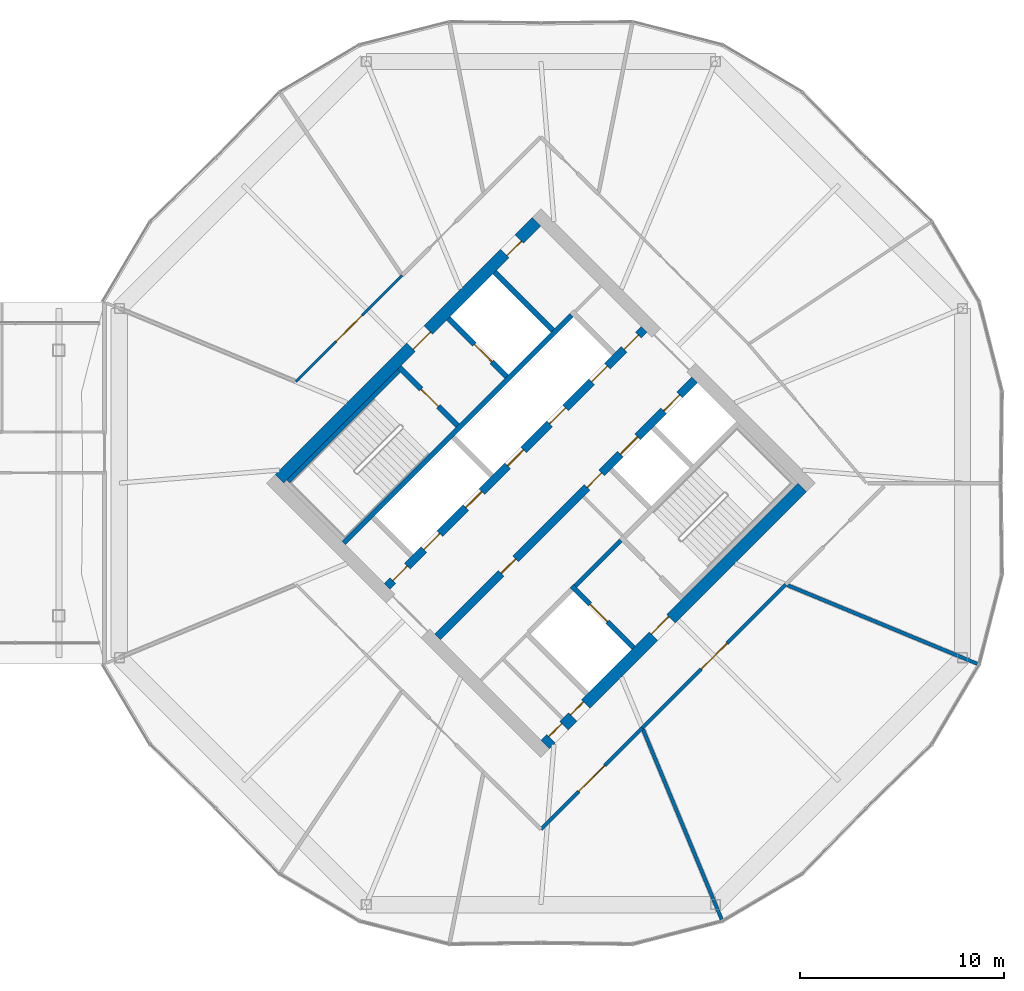
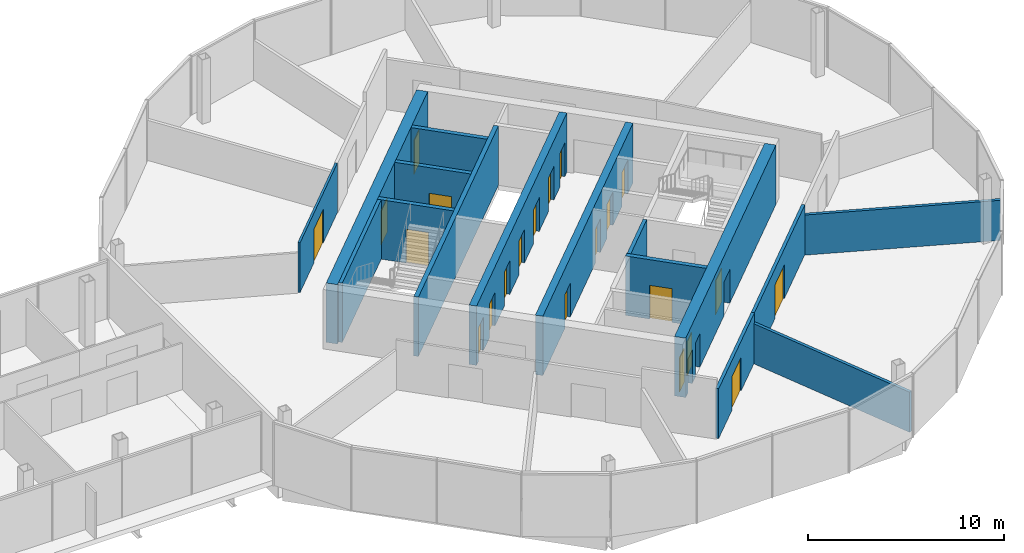
# One storey, part 22 of 25: 22 doors, 16 walls, 22 openings.
"""IFC4 building model written with IfcOpenShell, lengths in metres."""

import ifcopenshell
import ifcopenshell.guid

model = None  # the IFC model being written
_history = None  # IfcOwnerHistory: only IFC2X3 demands one
_inside = {}  # id of a spatial element -> (the spatial element, [elements in it])
_under = {}  # id of a project, library or spatial element -> (it, [spatial elements below it])
_declared = {}  # id of a project -> (the project, [libraries it declares])
_typed = {}  # id of a type object -> (the type object, [elements of that type])
_made_of = {}  # id of a material, layer set ... -> (it, [elements and type objects made of it])


def new_model(schema):
    """Start an empty IFC model of exactly this schema.

    Asked for "IFC4X3", IfcOpenShell would pick the latest addendum, in which some entities
    have other attributes; the version numbers below select the first issue.
    IFC2X3 requires an IfcOwnerHistory on every rooted entity: one is made here for all.
    """
    global model, _history
    if schema == "IFC4X3":
        model = ifcopenshell.file(schema_version=(4, 3, 0, 0))
    else:
        model = ifcopenshell.file(schema=schema)
    _inside.clear()
    _under.clear()
    _declared.clear()
    _typed.clear()
    _made_of.clear()
    _history = None
    if model.schema == "IFC2X3":
        org = make("IfcOrganization", Name="unknown")
        user = make(
            "IfcPersonAndOrganization",
            ThePerson=make("IfcPerson", FamilyName="unknown"),
            TheOrganization=org,
        )
        app = make(
            "IfcApplication",
            ApplicationDeveloper=org,
            Version="unknown",
            ApplicationFullName="unknown",
            ApplicationIdentifier="unknown",
        )
        _history = make(
            "IfcOwnerHistory",
            OwningUser=user,
            OwningApplication=app,
            ChangeAction="ADDED",
            CreationDate=0,
        )
    return model


def make(cls, **values):
    """One entity of the class cls with the attributes given. An attribute that is None is left unset."""
    return model.create_entity(
        cls, **{name: value for name, value in values.items() if value is not None}
    )


def rooted(cls, **values):
    """An entity with a GlobalId (a new one), such as an element, a storey or a relation."""
    return make(cls, GlobalId=ifcopenshell.guid.new(), OwnerHistory=_history, **values)


def si_unit(unit_type, name, prefix=None):
    """IfcSIUnit, for example si_unit("LENGTHUNIT", "METRE", prefix="MILLI")."""
    return make("IfcSIUnit", UnitType=unit_type, Prefix=prefix, Name=name)


def assignment(units):
    """IfcUnitAssignment: the units of a project."""
    return None if units is None else make("IfcUnitAssignment", Units=units)


def point(xyz):
    """IfcCartesianPoint."""
    return None if xyz is None else make("IfcCartesianPoint", Coordinates=xyz)


def direction(xyz):
    """IfcDirection."""
    return None if xyz is None else make("IfcDirection", DirectionRatios=xyz)


def frame(location, z_axis=None, x_axis=None):
    """IfcAxis2Placement3D, a coordinate frame: its origin and axes. An axis left out is left unset."""
    return make(
        "IfcAxis2Placement3D",
        Location=point(location),
        Axis=direction(z_axis),
        RefDirection=direction(x_axis),
    )


def frame_2d(location, x_axis=None):
    """IfcAxis2Placement2D, a coordinate frame in the plane: its origin and x axis."""
    return make(
        "IfcAxis2Placement2D", Location=point(location), RefDirection=direction(x_axis)
    )


def origin():
    """The frame at (0, 0, 0) with its axes left unset."""
    return frame((0.0, 0.0, 0.0))


def place(relative_to, where):
    """IfcLocalPlacement: puts the frame where relative to a parent placement (None: the world)."""
    return make(
        "IfcLocalPlacement", PlacementRelTo=relative_to, RelativePlacement=where
    )


def context(
    kind, dimensions, precision=None, world=None, true_north=None, identifier=None
):
    """IfcGeometricRepresentationContext, for example the 3D "Model" context."""
    return make(
        "IfcGeometricRepresentationContext",
        ContextIdentifier=identifier,
        ContextType=kind,
        CoordinateSpaceDimension=dimensions,
        Precision=precision,
        WorldCoordinateSystem=world,
        TrueNorth=true_north,
    )


def subcontext(parent, identifier, kind, view, scale=None):
    """IfcGeometricRepresentationSubContext, for example "Body" below "Model"."""
    return make(
        "IfcGeometricRepresentationSubContext",
        ContextIdentifier=identifier,
        ContextType=kind,
        ParentContext=parent,
        TargetScale=scale,
        TargetView=view,
    )


def project(units=None, contexts=None):
    """IfcProject with its units and contexts."""
    return rooted(
        "IfcProject",
        Name="project",
        RepresentationContexts=contexts,
        UnitsInContext=assignment(units),
    )


def spatial(cls, under=None, at=None, **own):
    """A site, building, storey or space (cls), placed at a placement, below another one or the project."""
    s = rooted(cls, ObjectPlacement=at, **own)
    if under is not None:
        _under.setdefault(under.id(), (under, []))[1].append(s)
    return s


def profile(cls, at=None, kind="AREA", **sizes):
    """A parametric profile (cls). Its sizes go by their IFC names, for example OverallWidth=200.0."""
    return make(cls, ProfileType=kind, Position=at, **sizes)


def rectangle(**sizes):
    """IfcRectangleProfileDef."""
    return profile("IfcRectangleProfileDef", **sizes)


def extrude(swept, where, along, depth):
    """IfcExtrudedAreaSolid: the profile swept, set in the frame where, extruded along a direction by depth."""
    return make(
        "IfcExtrudedAreaSolid",
        SweptArea=swept,
        Position=where,
        ExtrudedDirection=direction(along),
        Depth=depth,
    )


def shape(context_of_items, identifier, shape_type, items):
    """IfcShapeRepresentation: the items that make up one representation, for example the "Body"."""
    return make(
        "IfcShapeRepresentation",
        ContextOfItems=context_of_items,
        RepresentationIdentifier=identifier,
        RepresentationType=shape_type,
        Items=items,
    )


def material(Name=None, Category=None):
    """IfcMaterial."""
    return make("IfcMaterial", Name=Name, Category=Category)


def layer(
    of_material, thickness, ventilated=None, Name=None, Category=None, Priority=None
):
    """IfcMaterialLayer: one layer of a wall or slab, of a material (None: an air gap)."""
    return make(
        "IfcMaterialLayer",
        Material=of_material,
        LayerThickness=thickness,
        IsVentilated=ventilated,
        Name=Name,
        Category=Category,
        Priority=Priority,
    )


def layer_set(layers, Name=None):
    """IfcMaterialLayerSet."""
    return make("IfcMaterialLayerSet", MaterialLayers=layers, LayerSetName=Name)


def made_of(thing, what):
    """Note that an element or type object is made of a material, layer set ...; save() writes the relation."""
    if what is not None:
        _made_of.setdefault(what.id(), (what, []))[1].append(thing)
    return thing


def type_object(cls, material=None, **own):
    """A type object (cls), such as IfcWallType, which elements share."""
    return made_of(rooted(cls, **own), material)


def element(
    cls,
    number,
    at=None,
    inside=None,
    cuts=None,
    type_object=None,
    material=None,
    context=None,
    identifier="Body",
    shape_type=None,
    held_by="IfcProductDefinitionShape",
    body=None,
    shapes=None,
    **own,
):
    """One element of the class cls, such as IfcWall. Its Tag is "e" and its number.

    at: its placement. inside: the storey or other place that contains it. cuts: it is an
    opening in that element (IfcRelVoidsElement). A single representation is given by context,
    identifier, shape_type and body (its items); several are given by shapes. held_by: the class
    of the entity that holds the representations. save() writes the other relations.
    """
    e = rooted(cls, Tag="e%d" % number, ObjectPlacement=at, **own)
    if body is not None:
        shapes = [shape(context, identifier, shape_type, body)]
    if shapes is not None:
        e.Representation = make(held_by, Representations=shapes)
    if inside is not None:
        _inside.setdefault(inside.id(), (inside, []))[1].append(e)
    if cuts is not None:
        rooted(
            "IfcRelVoidsElement", RelatingBuildingElement=cuts, RelatedOpeningElement=e
        )
    if type_object is not None:
        _typed.setdefault(type_object.id(), (type_object, []))[1].append(e)
    return made_of(e, material)


def fill(opening, filler):
    """IfcRelFillsElement: the door or window that sits in an opening."""
    return rooted(
        "IfcRelFillsElement",
        RelatingOpeningElement=opening,
        RelatedBuildingElement=filler,
    )


def aggregate(whole, parts):
    """IfcRelAggregates: a whole, such as a stair, and the parts it consists of."""
    return rooted("IfcRelAggregates", RelatingObject=whole, RelatedObjects=parts)


def save(model, path):
    """Write the relations noted so far, then the file.

    IfcRelAggregates (storeys below a building ...), IfcRelContainedInSpatialStructure (elements
    in a storey), IfcRelDefinesByType, IfcRelAssociatesMaterial and IfcRelDeclares: one each for
    every whole, place, type object, material and project.
    """
    for whole, parts in _under.values():
        aggregate(whole, parts)
    for where, things in _inside.values():
        rooted(
            "IfcRelContainedInSpatialStructure",
            RelatedElements=things,
            RelatingStructure=where,
        )
    for kind, things in _typed.values():
        rooted("IfcRelDefinesByType", RelatedObjects=things, RelatingType=kind)
    for what, things in _made_of.values():
        rooted("IfcRelAssociatesMaterial", RelatedObjects=things, RelatingMaterial=what)
    for by, libraries in _declared.values():
        rooted("IfcRelDeclares", RelatingContext=by, RelatedDefinitions=libraries)
    model.write(path)


model = new_model("IFC4")

# Units and contexts
model_context = context("Model", 3, precision=1e-05, world=origin(), true_north=direction((0.0, 1.0)))
body_context = subcontext(model_context, "Body", "Model", "MODEL_VIEW")
ifc_project = project(units=[si_unit("LENGTHUNIT", "METRE"), si_unit("AREAUNIT", "SQUARE_METRE"), si_unit("VOLUMEUNIT", "CUBIC_METRE"), si_unit("PLANEANGLEUNIT", "RADIAN"), si_unit("MASSUNIT", "GRAM", prefix="KILO")], contexts=[model_context])

# Site, building, storey
site_placement = place(None, origin())
site = spatial("IfcSite", under=ifc_project, at=site_placement, CompositionType="ELEMENT")
building_placement = place(site_placement, origin())
building = spatial("IfcBuilding", under=site, at=building_placement, Name="Ogive Gate Towers", CompositionType="ELEMENT")
storey_placement = place(building_placement, frame((0.0, 0.0, 152.800048828125)))
storey = spatial("IfcBuildingStorey", under=building, at=storey_placement, Name="L36", CompositionType="ELEMENT", Elevation=152.800048828125)

# Walls
ifc_material_1 = material(Name="Gypsum board acoustic partition")
ifc_layer_1 = layer(ifc_material_1, 0.175048828125)
ifc_layer_set_1 = layer_set([ifc_layer_1], Name="Acoustic partition 175")
wall_type_1 = type_object("IfcWallType", Name="Acoustic partition 175", PredefinedType="PARTITIONING", material=ifc_layer_set_1)
for number, where, z_axis, x_axis, name in (
    (1, (44.851318359375, -21.369384765625, 0.0), (0.0, 0.0, 1.0), (-0.382658963964, 0.923889667275, 0.0), "Partition T2-L36-010"),
    (2, (57.369384765625, -8.851318359375, 0.0), (0.0, 0.0, 1.0), (-0.923889667275, 0.382658963964, 0.0), "Partition T2-L36-011"),
):
    element("IfcWall", number, at=place(storey_placement, frame(where, z_axis=z_axis, x_axis=x_axis)), inside=storey, type_object=wall_type_1, Name=name, PredefinedType="PARTITIONING", context=body_context, shape_type="SweptSolid", body=[
        extrude(rectangle(XDim=10.0615234375, YDim=0.175048828125, at=frame_2d((5.03076171875, 0.0))), origin(), (0.0, 0.0, 1.0), 2.5),
    ])

# Wall, opening, door
wall_1_placement = place(storey_placement, frame((36.0, -16.9423828125, 0.0), z_axis=(0.0, 0.0, 1.0), x_axis=(0.708393786416, 0.705817429204, 0.0)))
wall_1 = element("IfcWall", 3, at=wall_1_placement, inside=storey, type_object=wall_type_1, Name="Partition T2-L36-014", PredefinedType="PARTITIONING", context=body_context, shape_type="SweptSolid", body=[
    extrude(rectangle(XDim=7.012451171875, YDim=0.175048828125, at=frame_2d((3.50634765625, 0.0))), origin(), (0.0, 0.0, 1.0), 3.099853515625),
])
opening_1_placement = place(wall_1_placement, frame((2.60595703125, 0.0, 0.0)))
opening_1 = element("IfcOpeningElement", 4, at=opening_1_placement, cuts=wall_1, Name="Opening T2-L36-D03", PredefinedType="OPENING", context=body_context, shape_type="SweptSolid", body=[
    extrude(rectangle(XDim=1.800048828125, YDim=2.10009765625, at=frame_2d((0.89990234375, 1.050048828125))), frame((0.0, 0.09765625, 0.0), z_axis=(0.0, -1.0, 0.0), x_axis=(1.0, 0.0, 0.0)), (0.0, 0.0, 1.0), 0.195068359375),
])
ifc_material_2 = material(Name="Timber door", Category="wood")
door_type_1 = type_object("IfcDoorType", Name="Door pair 1800", OperationType="NOTDEFINED", PredefinedType="DOOR", material=ifc_material_2)
door_1_placement = place(opening_1_placement, origin())
door_1 = element("IfcDoor", 5, at=door_1_placement, inside=storey, type_object=door_type_1, Name="Door T2-L36-D03", OperationType="DOUBLE_DOOR_DOUBLE_SWING", OverallHeight=2.10009765625, OverallWidth=1.800048828125, PredefinedType="DOOR", context=body_context, shape_type="SweptSolid", body=[
    extrude(rectangle(XDim=1.800048828125, YDim=2.10009765625, at=frame_2d((0.89990234375, 1.050048828125))), frame((0.0, 0.02490234375, 0.0), z_axis=(0.0, -1.0, 0.0), x_axis=(1.0, 0.0, 0.0)), (0.0, 0.0, 1.0), 0.050048828125),
])
fill(opening_1, door_1)

wall_2_placement = place(storey_placement, frame((40.967529296875, -11.992919921875, 0.0), z_axis=(0.0, 0.0, 1.0), x_axis=(0.707106781187, 0.707106781187, 0.0)))
wall_2 = element("IfcWall", 6, at=wall_2_placement, inside=storey, type_object=wall_type_1, Name="Partition T2-L36-016", PredefinedType="PARTITIONING", context=body_context, shape_type="SweptSolid", body=[
    extrude(rectangle(XDim=9.935302734375, YDim=0.175048828125, at=frame_2d((4.9677734375, 0.0))), origin(), (0.0, 0.0, 1.0), 3.099853515625),
])
opening_2_placement = place(wall_2_placement, frame((4.068115234375, 0.0, 0.0)))
opening_2 = element("IfcOpeningElement", 7, at=opening_2_placement, cuts=wall_2, Name="Opening T2-L36-D04", PredefinedType="OPENING", context=body_context, shape_type="SweptSolid", body=[
    extrude(rectangle(XDim=1.800048828125, YDim=2.10009765625, at=frame_2d((0.89990234375, 1.050048828125))), frame((0.0, 0.09765625, 0.0), z_axis=(0.0, -1.0, 0.0), x_axis=(1.0, 0.0, 0.0)), (0.0, 0.0, 1.0), 0.195068359375),
])
door_2_placement = place(opening_2_placement, origin())
door_2 = element("IfcDoor", 8, at=door_2_placement, inside=storey, type_object=door_type_1, Name="Door T2-L36-D04", OperationType="DOUBLE_DOOR_DOUBLE_SWING", OverallHeight=2.10009765625, OverallWidth=1.800048828125, PredefinedType="DOOR", context=body_context, shape_type="SweptSolid", body=[
    extrude(rectangle(XDim=1.800048828125, YDim=2.10009765625, at=frame_2d((0.89990234375, 1.050048828125))), frame((0.0, 0.02490234375, 0.0), z_axis=(0.0, -1.0, 0.0), x_axis=(1.0, 0.0, 0.0)), (0.0, 0.0, 1.0), 0.050048828125),
])
fill(opening_2, door_2)

# Wall
ifc_material_3 = material(Name="Masonry blockwork", Category="masonry")
ifc_layer_2 = layer(ifc_material_3, 0.199951171875)
ifc_layer_set_2 = layer_set([ifc_layer_2], Name="Blockwork wall 200 mm")
wall_type_2 = type_object("IfcWallType", Name="Blockwork wall 200 mm", PredefinedType="PARTITIONING", material=ifc_layer_set_2)
wall_3_placement = place(storey_placement, frame((37.679443359375, -5.0380859375, 0.0), z_axis=(0.0, 0.0, 1.0), x_axis=(0.707106781187, 0.707106781187, 0.0)))
element("IfcWall", 9, at=wall_3_placement, inside=storey, type_object=wall_type_2, Name="T2 L36 Blockwork wall 200 mm", PredefinedType="PARTITIONING", context=body_context, shape_type="SweptSolid", body=[
    extrude(rectangle(XDim=3.14990234375, YDim=0.199951171875, at=frame_2d((1.574951171875, 0.0))), origin(), (0.0, 0.0, 1.0), 3.699951171875),
])

# Wall, openings, doors
ifc_material_4 = material(Name="Concrete C60/75", Category="concrete")
ifc_layer_3 = layer(ifc_material_4, 0.60009765625)
ifc_layer_set_3 = layer_set([ifc_layer_3], Name="Core wall 600 mm")
wall_type_3 = type_object("IfcWallType", Name="Core wall 600 mm", PredefinedType="SHEAR", material=ifc_layer_set_3)
wall_4_placement = place(storey_placement, frame((36.212158203125, -12.798583984375, 0.0), z_axis=(0.0, 0.0, 1.0), x_axis=(0.707106781187, 0.707106781187, 0.0)))
wall_4 = element("IfcWall", 10, at=wall_4_placement, inside=storey, type_object=wall_type_3, Name="T2 L36 Core wall 600 mm", PredefinedType="SHEAR", context=body_context, shape_type="SweptSolid", body=[
    extrude(rectangle(XDim=17.7998046875, YDim=0.60009765625, at=frame_2d((8.89990234375, 0.0))), origin(), (0.0, 0.0, 1.0), 3.699951171875),
])
opening_3_placement = place(wall_4_placement, frame((7.5, 0.0, 0.0)))
opening_3 = element("IfcOpeningElement", 11, at=opening_3_placement, cuts=wall_4, Name="Opening KD-T2-L36-19", PredefinedType="OPENING", context=body_context, shape_type="SweptSolid", body=[
    extrude(rectangle(XDim=1.199951171875, YDim=2.10009765625, at=frame_2d((0.60009765625, 1.050048828125))), frame((0.0, 0.31005859375, 0.0), z_axis=(0.0, -1.0, 0.0), x_axis=(1.0, 0.0, 0.0)), (0.0, 0.0, 1.0), 0.6201171875),
])
opening_4_placement = place(wall_4_placement, frame((0.39990234375, 0.0, 0.0)))
opening_4 = element("IfcOpeningElement", 12, at=opening_4_placement, cuts=wall_4, Name="Opening KD-T2-L36-21", PredefinedType="OPENING", context=body_context, shape_type="SweptSolid", body=[
    extrude(rectangle(XDim=0.89990234375, YDim=2.10009765625, at=frame_2d((0.449951171875, 1.050048828125))), frame((0.0, 0.31005859375, 0.0), z_axis=(0.0, -1.0, 0.0), x_axis=(1.0, 0.0, 0.0)), (0.0, 0.0, 1.0), 0.6201171875),
])
opening_5_placement = place(wall_4_placement, frame((1.89990234375, 0.0, 0.0)))
opening_5 = element("IfcOpeningElement", 13, at=opening_5_placement, cuts=wall_4, Name="Opening KD-T2-L36-22", PredefinedType="OPENING", context=body_context, shape_type="SweptSolid", body=[
    extrude(rectangle(XDim=0.89990234375, YDim=2.10009765625, at=frame_2d((0.449951171875, 1.050048828125))), frame((0.0, 0.31005859375, 0.0), z_axis=(0.0, -1.0, 0.0), x_axis=(1.0, 0.0, 0.0)), (0.0, 0.0, 1.0), 0.6201171875),
])
door_type_2 = type_object("IfcDoorType", Name="Core WC door 900 x 2100", OperationType="NOTDEFINED", PredefinedType="DOOR", material=ifc_material_2)
door_3_placement = place(opening_4_placement, origin())
door_3 = element("IfcDoor", 14, at=door_3_placement, inside=storey, type_object=door_type_2, Name="T2 L36 Core door", OperationType="SINGLE_SWING_RIGHT", OverallHeight=2.10009765625, OverallWidth=0.89990234375, PredefinedType="DOOR", context=body_context, shape_type="SweptSolid", body=[
    extrude(rectangle(XDim=0.89990234375, YDim=2.10009765625, at=frame_2d((0.449951171875, 1.050048828125))), frame((0.0, 0.1748046875, 0.0), z_axis=(0.0, -1.0, 0.0), x_axis=(1.0, 0.0, 0.0)), (0.0, 0.0, 1.0), 0.050048828125),
])
fill(opening_4, door_3)
door_4_placement = place(opening_5_placement, origin())
door_4 = element("IfcDoor", 15, at=door_4_placement, inside=storey, type_object=door_type_2, Name="T2 L36 Core door", OperationType="SINGLE_SWING_LEFT", OverallHeight=2.10009765625, OverallWidth=0.89990234375, PredefinedType="DOOR", context=body_context, shape_type="SweptSolid", body=[
    extrude(rectangle(XDim=0.89990234375, YDim=2.10009765625, at=frame_2d((0.449951171875, 1.050048828125))), frame((0.0, 0.1748046875, 0.0), z_axis=(0.0, -1.0, 0.0), x_axis=(1.0, 0.0, 0.0)), (0.0, 0.0, 1.0), 0.050048828125),
])
fill(opening_5, door_4)
ifc_material_5 = material(Name="Steel fire door", Category="steel")
door_type_3 = type_object("IfcDoorType", Name="Core door FD60S 1200 x 2100", OperationType="NOTDEFINED", PredefinedType="DOOR", material=ifc_material_5)
door_5_placement = place(opening_3_placement, origin())
door_5 = element("IfcDoor", 16, at=door_5_placement, inside=storey, type_object=door_type_3, Name="T2 L36 Fire-fighting lobby door", OperationType="SINGLE_SWING_RIGHT", OverallHeight=2.10009765625, OverallWidth=1.199951171875, PredefinedType="DOOR", context=body_context, shape_type="SweptSolid", body=[
    extrude(rectangle(XDim=1.199951171875, YDim=2.10009765625, at=frame_2d((0.60009765625, 1.050048828125))), frame((0.0, 0.1748046875, 0.0), z_axis=(0.0, -1.0, 0.0), x_axis=(1.0, 0.0, 0.0)), (0.0, 0.0, 1.0), 0.050048828125),
])
fill(opening_3, door_5)

wall_5_placement = place(storey_placement, frame((23.201416015625, 0.212158203125, 0.0), z_axis=(0.0, 0.0, 1.0), x_axis=(0.707106781187, 0.707106781187, 0.0)))
wall_5 = element("IfcWall", 17, at=wall_5_placement, inside=storey, type_object=wall_type_3, Name="T2 L36 Core wall 600 mm", PredefinedType="SHEAR", context=body_context, shape_type="SweptSolid", body=[
    extrude(rectangle(XDim=17.7998046875, YDim=0.60009765625, at=frame_2d((8.89990234375, 0.0))), origin(), (0.0, 0.0, 1.0), 3.699951171875),
])
opening_6_placement = place(wall_5_placement, frame((9.10009765625, 0.0, 0.0)))
opening_6 = element("IfcOpeningElement", 18, at=opening_6_placement, cuts=wall_5, Name="Opening KD-T2-L36-18", PredefinedType="OPENING", context=body_context, shape_type="SweptSolid", body=[
    extrude(rectangle(XDim=1.199951171875, YDim=2.10009765625, at=frame_2d((0.60009765625, 1.050048828125))), frame((0.0, 0.31005859375, 0.0), z_axis=(0.0, -1.0, 0.0), x_axis=(1.0, 0.0, 0.0)), (0.0, 0.0, 1.0), 0.6201171875),
])
opening_7_placement = place(wall_5_placement, frame((15.60009765625, 0.0, 0.0)))
opening_7 = element("IfcOpeningElement", 19, at=opening_7_placement, cuts=wall_5, Name="Opening KD-T2-L36-20", PredefinedType="OPENING", context=body_context, shape_type="SweptSolid", body=[
    extrude(rectangle(XDim=1.0, YDim=2.10009765625, at=frame_2d((0.5, 1.050048828125))), frame((0.0, 0.31005859375, 0.0), z_axis=(0.0, -1.0, 0.0), x_axis=(1.0, 0.0, 0.0)), (0.0, 0.0, 1.0), 0.6201171875),
])
door_type_4 = type_object("IfcDoorType", Name="Accessible WC door 1000 x 2100", OperationType="NOTDEFINED", PredefinedType="DOOR", material=ifc_material_2)
door_6_placement = place(opening_7_placement, origin())
door_6 = element("IfcDoor", 20, at=door_6_placement, inside=storey, type_object=door_type_4, Name="T2 L36 Core door", OperationType="SINGLE_SWING_LEFT", OverallHeight=2.10009765625, OverallWidth=1.0, PredefinedType="DOOR", context=body_context, shape_type="SweptSolid", body=[
    extrude(rectangle(XDim=1.0, YDim=2.10009765625, at=frame_2d((0.5, 1.050048828125))), frame((0.0, -0.125, 0.0), z_axis=(0.0, -1.0, 0.0), x_axis=(1.0, 0.0, 0.0)), (0.0, 0.0, 1.0), 0.050048828125),
])
fill(opening_7, door_6)
door_7_placement = place(opening_6_placement, origin())
door_7 = element("IfcDoor", 21, at=door_7_placement, inside=storey, type_object=door_type_3, Name="T2 L36 Fire-fighting lobby door", OperationType="SINGLE_SWING_LEFT", OverallHeight=2.10009765625, OverallWidth=1.199951171875, PredefinedType="DOOR", context=body_context, shape_type="SweptSolid", body=[
    extrude(rectangle(XDim=1.199951171875, YDim=2.10009765625, at=frame_2d((0.60009765625, 1.050048828125))), frame((0.0, -0.125, 0.0), z_axis=(0.0, -1.0, 0.0), x_axis=(1.0, 0.0, 0.0)), (0.0, 0.0, 1.0), 0.050048828125),
])
fill(opening_6, door_7)

# Wall, opening, door
ifc_material_6 = material(Name="Gypsum board partition")
ifc_layer_4 = layer(ifc_material_6, 0.125)
ifc_layer_set_4 = layer_set([ifc_layer_4], Name="Partition 125")
wall_type_4 = type_object("IfcWallType", Name="Partition 125", PredefinedType="PARTITIONING", material=ifc_layer_set_4)
wall_6_placement = place(storey_placement, frame((29.20166015625, 10.1669921875, 0.0), z_axis=(0.0, 0.0, 1.0), x_axis=(-0.706774525447, -0.707438880879, 0.0)))
wall_6 = element("IfcWall", 22, at=wall_6_placement, inside=storey, type_object=wall_type_4, Name="Partition T2-L36-023", PredefinedType="PARTITIONING", context=body_context, shape_type="SweptSolid", body=[
    extrude(rectangle(XDim=7.349609375, YDim=0.125, at=frame_2d((3.6748046875, 0.0))), origin(), (0.0, 0.0, 1.0), 3.099853515625),
])
opening_8_placement = place(wall_6_placement, frame((2.77490234375, 0.0, 0.0)))
opening_8 = element("IfcOpeningElement", 23, at=opening_8_placement, cuts=wall_6, Name="Opening T2-L36-D10", PredefinedType="OPENING", context=body_context, shape_type="SweptSolid", body=[
    extrude(rectangle(XDim=1.800048828125, YDim=2.10009765625, at=frame_2d((0.89990234375, 1.050048828125))), frame((0.0, 0.072509765625, 0.0), z_axis=(0.0, -1.0, 0.0), x_axis=(1.0, 0.0, 0.0)), (0.0, 0.0, 1.0), 0.14501953125),
])
door_8_placement = place(opening_8_placement, origin())
door_8 = element("IfcDoor", 24, at=door_8_placement, inside=storey, type_object=door_type_1, Name="Door T2-L36-D10", OperationType="DOUBLE_DOOR_DOUBLE_SWING", OverallHeight=2.10009765625, OverallWidth=1.800048828125, PredefinedType="DOOR", context=body_context, shape_type="SweptSolid", body=[
    extrude(rectangle(XDim=1.800048828125, YDim=2.10009765625, at=frame_2d((0.89990234375, 1.050048828125))), frame((0.0, 0.02490234375, 0.0), z_axis=(0.0, -1.0, 0.0), x_axis=(1.0, 0.0, 0.0)), (0.0, 0.0, 1.0), 0.050048828125),
])
fill(opening_8, door_8)

# Wall
ifc_layer_5 = layer(ifc_material_4, 0.25)
ifc_layer_set_5 = layer_set([ifc_layer_5], Name="Shaft wall 250 mm")
wall_type_5 = type_object("IfcWallType", Name="Shaft wall 250 mm", PredefinedType="SHEAR", material=ifc_layer_set_5)
wall_7_placement = place(storey_placement, frame((26.347900390625, -2.9345703125, 0.0), z_axis=(0.0, 0.0, 1.0), x_axis=(0.707106781187, 0.707106781187, 0.0)))
element("IfcWall", 25, at=wall_7_placement, inside=storey, type_object=wall_type_5, Name="T2 L36 Shaft wall 250 mm", PredefinedType="SHEAR", context=body_context, shape_type="SweptSolid", body=[
    extrude(rectangle(XDim=15.775146484375, YDim=0.25, at=frame_2d((7.8876953125, 0.0))), origin(), (0.0, 0.0, 1.0), 3.699951171875),
])

# Wall, opening, door
wall_8_placement = place(storey_placement, frame((40.525390625, -8.06103515625, 0.0), z_axis=(0.0, 0.0, 1.0), x_axis=(-0.707078225638, 0.707135335582, 0.0)))
wall_8 = element("IfcWall", 26, at=wall_8_placement, inside=storey, type_object=wall_type_5, Name="T2 L36 Shaft wall 250 mm", PredefinedType="SHEAR", context=body_context, shape_type="SweptSolid", body=[
    extrude(rectangle(XDim=4.27490234375, YDim=0.25, at=frame_2d((2.137451171875, 0.0))), origin(), (0.0, 0.0, 1.0), 3.699951171875),
])
opening_9_placement = place(wall_8_placement, frame((1.800048828125, 0.0, 0.0)))
opening_9 = element("IfcOpeningElement", 27, at=opening_9_placement, cuts=wall_8, Name="Opening LD-T2-L36-13", PredefinedType="OPENING", context=body_context, shape_type="SweptSolid", body=[
    extrude(rectangle(XDim=1.199951171875, YDim=2.10009765625, at=frame_2d((0.60009765625, 1.050048828125))), frame((0.0, 0.135009765625, 0.0), z_axis=(0.0, -1.0, 0.0), x_axis=(1.0, 0.0, 0.0)), (0.0, 0.0, 1.0), 0.27001953125),
])
ifc_material_7 = material(Name="Stainless steel landing door", Category="steel")
door_type_5 = type_object("IfcDoorType", Name="Landing door 1200 x 2100", OperationType="SLIDING_TO_LEFT", PredefinedType="DOOR", material=ifc_material_7)
door_9_placement = place(opening_9_placement, origin())
door_9 = element("IfcDoor", 28, at=door_9_placement, inside=storey, type_object=door_type_5, Name="T2 L36 Lift landing door FF2", OperationType="SLIDING_TO_LEFT", OverallHeight=2.10009765625, OverallWidth=1.199951171875, PredefinedType="DOOR", context=body_context, shape_type="SweptSolid", body=[
    extrude(rectangle(XDim=1.199951171875, YDim=2.10009765625, at=frame_2d((0.60009765625, 1.050048828125))), frame((0.0, 0.02490234375, 0.0), z_axis=(0.0, -1.0, 0.0), x_axis=(1.0, 0.0, 0.0)), (0.0, 0.0, 1.0), 0.050048828125),
])
fill(opening_9, door_9)

wall_9_placement = place(storey_placement, frame((31.91650390625, 2.810791015625, 0.0), z_axis=(0.0, 0.0, 1.0), x_axis=(-0.707106781187, 0.707106781187, 0.0)))
wall_9 = element("IfcWall", 29, at=wall_9_placement, inside=storey, type_object=wall_type_5, Name="T2 L36 Shaft wall 250 mm", PredefinedType="SHEAR", context=body_context, shape_type="SweptSolid", body=[
    extrude(rectangle(XDim=4.025146484375, YDim=0.25, at=frame_2d((2.0126953125, 0.0))), origin(), (0.0, 0.0, 1.0), 3.699951171875),
])
opening_10_placement = place(wall_9_placement, frame((1.324951171875, 0.0, 0.0)))
opening_10 = element("IfcOpeningElement", 30, at=opening_10_placement, cuts=wall_9, Name="Opening KD-T2-L36-16", PredefinedType="OPENING", context=body_context, shape_type="SweptSolid", body=[
    extrude(rectangle(XDim=1.199951171875, YDim=2.10009765625, at=frame_2d((0.60009765625, 1.050048828125))), frame((0.0, 0.135009765625, 0.0), z_axis=(0.0, -1.0, 0.0), x_axis=(1.0, 0.0, 0.0)), (0.0, 0.0, 1.0), 0.27001953125),
])
door_10_placement = place(opening_10_placement, origin())
door_10 = element("IfcDoor", 31, at=door_10_placement, inside=storey, type_object=door_type_3, Name="T2 L36 Stair door", OperationType="SINGLE_SWING_LEFT", OverallHeight=2.10009765625, OverallWidth=1.199951171875, PredefinedType="DOOR", context=body_context, shape_type="SweptSolid", body=[
    extrude(rectangle(XDim=1.199951171875, YDim=2.10009765625, at=frame_2d((0.60009765625, 1.050048828125))), frame((0.0, 0.02490234375, 0.0), z_axis=(0.0, -1.0, 0.0), x_axis=(1.0, 0.0, 0.0)), (0.0, 0.0, 1.0), 0.050048828125),
])
fill(opening_10, door_10)

wall_10_placement = place(storey_placement, frame((34.320556640625, 5.21484375, 0.0), z_axis=(0.0, 0.0, 1.0), x_axis=(-0.70707645213, 0.707137108942, 0.0)))
wall_10 = element("IfcWall", 32, at=wall_10_placement, inside=storey, type_object=wall_type_5, Name="T2 L36 Shaft wall 250 mm", PredefinedType="SHEAR", context=body_context, shape_type="SweptSolid", body=[
    extrude(rectangle(XDim=4.02490234375, YDim=0.25, at=frame_2d((2.012451171875, 0.0))), origin(), (0.0, 0.0, 1.0), 3.699951171875),
])
opening_11_placement = place(wall_10_placement, frame((1.02490234375, 0.0, 0.0)))
opening_11 = element("IfcOpeningElement", 33, at=opening_11_placement, cuts=wall_10, Name="Opening LD-T2-L36-12", PredefinedType="OPENING", context=body_context, shape_type="SweptSolid", body=[
    extrude(rectangle(XDim=1.199951171875, YDim=2.10009765625, at=frame_2d((0.60009765625, 1.050048828125))), frame((0.0, 0.135009765625, 0.0), z_axis=(0.0, -1.0, 0.0), x_axis=(1.0, 0.0, 0.0)), (0.0, 0.0, 1.0), 0.27001953125),
])
door_11_placement = place(opening_11_placement, origin())
door_11 = element("IfcDoor", 34, at=door_11_placement, inside=storey, type_object=door_type_5, Name="T2 L36 Lift landing door FF1", OperationType="SLIDING_TO_LEFT", OverallHeight=2.10009765625, OverallWidth=1.199951171875, PredefinedType="DOOR", context=body_context, shape_type="SweptSolid", body=[
    extrude(rectangle(XDim=1.199951171875, YDim=2.10009765625, at=frame_2d((0.60009765625, 1.050048828125))), frame((0.0, 0.02490234375, 0.0), z_axis=(0.0, -1.0, 0.0), x_axis=(1.0, 0.0, 0.0)), (0.0, 0.0, 1.0), 0.050048828125),
])
fill(opening_11, door_11)

# Wall
wall_11_placement = place(storey_placement, frame((36.58349609375, 7.477783203125, 0.0), z_axis=(0.0, 0.0, 1.0), x_axis=(-0.707137108942, 0.70707645213, 0.0)))
element("IfcWall", 35, at=wall_11_placement, inside=storey, type_object=wall_type_5, Name="T2 L36 Shaft wall 250 mm", PredefinedType="SHEAR", context=body_context, shape_type="SweptSolid", body=[
    extrude(rectangle(XDim=4.02490234375, YDim=0.25, at=frame_2d((2.012451171875, 0.0))), origin(), (0.0, 0.0, 1.0), 3.699951171875),
])

# Wall, openings, doors
ifc_layer_6 = layer(ifc_material_4, 0.39990234375)
ifc_layer_set_6 = layer_set([ifc_layer_6], Name="Spine wall 400 mm")
wall_type_6 = type_object("IfcWallType", Name="Spine wall 400 mm", PredefinedType="SHEAR", material=ifc_layer_set_6)
wall_12_placement = place(storey_placement, frame((30.944091796875, -7.53076171875, 0.0), z_axis=(0.0, 0.0, 1.0), x_axis=(0.707106781187, 0.707106781187, 0.0)))
wall_12 = element("IfcWall", 36, at=wall_12_placement, inside=storey, type_object=wall_type_6, Name="T2 L36 Spine wall 400 mm", PredefinedType="SHEAR", context=body_context, shape_type="SweptSolid", body=[
    extrude(rectangle(XDim=17.80029296875, YDim=0.39990234375, at=frame_2d((8.900146484375, 0.0))), origin(), (0.0, 0.0, 1.0), 3.699951171875),
])
opening_12_placement = place(wall_12_placement, frame((12.64990234375, 0.0, 0.0)))
opening_12 = element("IfcOpeningElement", 37, at=opening_12_placement, cuts=wall_12, Name="Opening LD-T2-L36-10", PredefinedType="OPENING", context=body_context, shape_type="SweptSolid", body=[
    extrude(rectangle(XDim=1.199951171875, YDim=2.10009765625, at=frame_2d((0.60009765625, 1.050048828125))), frame((0.0, 0.2099609375, 0.0), z_axis=(0.0, -1.0, 0.0), x_axis=(1.0, 0.0, 0.0)), (0.0, 0.0, 1.0), 0.419921875),
])
opening_13_placement = place(wall_12_placement, frame((15.64990234375, 0.0, 0.0)))
opening_13 = element("IfcOpeningElement", 38, at=opening_13_placement, cuts=wall_12, Name="Opening LD-T2-L36-11", PredefinedType="OPENING", context=body_context, shape_type="SweptSolid", body=[
    extrude(rectangle(XDim=1.10009765625, YDim=2.10009765625, at=frame_2d((0.550048828125, 1.050048828125))), frame((0.0, 0.2099609375, 0.0), z_axis=(0.0, -1.0, 0.0), x_axis=(1.0, 0.0, 0.0)), (0.0, 0.0, 1.0), 0.419921875),
])
opening_14_placement = place(wall_12_placement, frame((4.39990234375, 0.0, 0.0)))
opening_14 = element("IfcOpeningElement", 39, at=opening_14_placement, cuts=wall_12, Name="Opening KD-T2-L36-14", PredefinedType="OPENING", context=body_context, shape_type="SweptSolid", body=[
    extrude(rectangle(XDim=1.0, YDim=2.10009765625, at=frame_2d((0.5, 1.050048828125))), frame((0.0, 0.2099609375, 0.0), z_axis=(0.0, -1.0, 0.0), x_axis=(1.0, 0.0, 0.0)), (0.0, 0.0, 1.0), 0.419921875),
])
opening_15_placement = place(wall_12_placement, frame((10.35009765625, 0.0, 0.0)))
opening_15 = element("IfcOpeningElement", 40, at=opening_15_placement, cuts=wall_12, Name="Opening KD-T2-L36-15", PredefinedType="OPENING", context=body_context, shape_type="SweptSolid", body=[
    extrude(rectangle(XDim=1.0, YDim=2.10009765625, at=frame_2d((0.5, 1.050048828125))), frame((0.0, 0.2099609375, 0.0), z_axis=(0.0, -1.0, 0.0), x_axis=(1.0, 0.0, 0.0)), (0.0, 0.0, 1.0), 0.419921875),
])
door_type_6 = type_object("IfcDoorType", Name="Core door FD60S 1000 x 2100", OperationType="NOTDEFINED", PredefinedType="DOOR", material=ifc_material_5)
door_12_placement = place(opening_14_placement, origin())
door_12 = element("IfcDoor", 41, at=door_12_placement, inside=storey, type_object=door_type_6, Name="T2 L36 Core door", OperationType="SINGLE_SWING_LEFT", OverallHeight=2.10009765625, OverallWidth=1.0, PredefinedType="DOOR", context=body_context, shape_type="SweptSolid", body=[
    extrude(rectangle(XDim=1.0, YDim=2.10009765625, at=frame_2d((0.5, 1.050048828125))), frame((0.0, 0.02490234375, 0.0), z_axis=(0.0, -1.0, 0.0), x_axis=(1.0, 0.0, 0.0)), (0.0, 0.0, 1.0), 0.050048828125),
])
fill(opening_14, door_12)
door_13_placement = place(opening_15_placement, origin())
door_13 = element("IfcDoor", 42, at=door_13_placement, inside=storey, type_object=door_type_6, Name="T2 L36 Core door", OperationType="SINGLE_SWING_RIGHT", OverallHeight=2.10009765625, OverallWidth=1.0, PredefinedType="DOOR", context=body_context, shape_type="SweptSolid", body=[
    extrude(rectangle(XDim=1.0, YDim=2.10009765625, at=frame_2d((0.5, 1.050048828125))), frame((0.0, 0.02490234375, 0.0), z_axis=(0.0, -1.0, 0.0), x_axis=(1.0, 0.0, 0.0)), (0.0, 0.0, 1.0), 0.050048828125),
])
fill(opening_15, door_13)
door_type_7 = type_object("IfcDoorType", Name="Landing door 1100 x 2100", OperationType="SLIDING_TO_LEFT", PredefinedType="DOOR", material=ifc_material_7)
door_14_placement = place(opening_13_placement, origin())
door_14 = element("IfcDoor", 43, at=door_14_placement, inside=storey, type_object=door_type_7, Name="T2 L36 Lift landing door B6", OperationType="SLIDING_TO_LEFT", OverallHeight=2.10009765625, OverallWidth=1.10009765625, PredefinedType="DOOR", context=body_context, shape_type="SweptSolid", body=[
    extrude(rectangle(XDim=1.10009765625, YDim=2.10009765625, at=frame_2d((0.550048828125, 1.050048828125))), frame((0.0, 0.02490234375, 0.0), z_axis=(0.0, -1.0, 0.0), x_axis=(1.0, 0.0, 0.0)), (0.0, 0.0, 1.0), 0.050048828125),
])
fill(opening_13, door_14)
door_15_placement = place(opening_12_placement, origin())
door_15 = element("IfcDoor", 44, at=door_15_placement, inside=storey, type_object=door_type_5, Name="T2 L36 Lift landing door SVC", OperationType="SLIDING_TO_LEFT", OverallHeight=2.10009765625, OverallWidth=1.199951171875, PredefinedType="DOOR", context=body_context, shape_type="SweptSolid", body=[
    extrude(rectangle(XDim=1.199951171875, YDim=2.10009765625, at=frame_2d((0.60009765625, 1.050048828125))), frame((0.0, 0.02490234375, 0.0), z_axis=(0.0, -1.0, 0.0), x_axis=(1.0, 0.0, 0.0)), (0.0, 0.0, 1.0), 0.050048828125),
])
fill(opening_12, door_15)

wall_13_placement = place(storey_placement, frame((28.46923828125, -5.055908203125, 0.0), z_axis=(0.0, 0.0, 1.0), x_axis=(0.707106781187, 0.707106781187, 0.0)))
wall_13 = element("IfcWall", 45, at=wall_13_placement, inside=storey, type_object=wall_type_6, Name="T2 L36 Spine wall 400 mm", PredefinedType="SHEAR", context=body_context, shape_type="SweptSolid", body=[
    extrude(rectangle(XDim=17.80029296875, YDim=0.39990234375, at=frame_2d((8.900146484375, 0.0))), origin(), (0.0, 0.0, 1.0), 3.699951171875),
])
opening_16_placement = place(wall_13_placement, frame((0.39990234375, 0.0, 0.0)))
opening_16 = element("IfcOpeningElement", 46, at=opening_16_placement, cuts=wall_13, Name="Opening KD-T2-L36-03", PredefinedType="OPENING", context=body_context, shape_type="SweptSolid", body=[
    extrude(rectangle(XDim=1.0, YDim=2.10009765625, at=frame_2d((0.5, 1.050048828125))), frame((0.0, 0.2099609375, 0.0), z_axis=(0.0, -1.0, 0.0), x_axis=(1.0, 0.0, 0.0)), (0.0, 0.0, 1.0), 0.419921875),
])
opening_17_placement = place(wall_13_placement, frame((2.550048828125, 0.0, 0.0)))
opening_17 = element("IfcOpeningElement", 47, at=opening_17_placement, cuts=wall_13, Name="Opening LD-T2-L36-04", PredefinedType="OPENING", context=body_context, shape_type="SweptSolid", body=[
    extrude(rectangle(XDim=1.10009765625, YDim=2.10009765625, at=frame_2d((0.550048828125, 1.050048828125))), frame((0.0, 0.2099609375, 0.0), z_axis=(0.0, -1.0, 0.0), x_axis=(1.0, 0.0, 0.0)), (0.0, 0.0, 1.0), 0.419921875),
])
opening_18_placement = place(wall_13_placement, frame((5.449951171875, 0.0, 0.0)))
opening_18 = element("IfcOpeningElement", 48, at=opening_18_placement, cuts=wall_13, Name="Opening LD-T2-L36-05", PredefinedType="OPENING", context=body_context, shape_type="SweptSolid", body=[
    extrude(rectangle(XDim=1.10009765625, YDim=2.10009765625, at=frame_2d((0.550048828125, 1.050048828125))), frame((0.0, 0.2099609375, 0.0), z_axis=(0.0, -1.0, 0.0), x_axis=(1.0, 0.0, 0.0)), (0.0, 0.0, 1.0), 0.419921875),
])
opening_19_placement = place(wall_13_placement, frame((8.35009765625, 0.0, 0.0)))
opening_19 = element("IfcOpeningElement", 49, at=opening_19_placement, cuts=wall_13, Name="Opening LD-T2-L36-06", PredefinedType="OPENING", context=body_context, shape_type="SweptSolid", body=[
    extrude(rectangle(XDim=1.10009765625, YDim=2.10009765625, at=frame_2d((0.550048828125, 1.050048828125))), frame((0.0, 0.2099609375, 0.0), z_axis=(0.0, -1.0, 0.0), x_axis=(1.0, 0.0, 0.0)), (0.0, 0.0, 1.0), 0.419921875),
])
opening_20_placement = place(wall_13_placement, frame((11.25, 0.0, 0.0)))
opening_20 = element("IfcOpeningElement", 50, at=opening_20_placement, cuts=wall_13, Name="Opening LD-T2-L36-07", PredefinedType="OPENING", context=body_context, shape_type="SweptSolid", body=[
    extrude(rectangle(XDim=1.10009765625, YDim=2.10009765625, at=frame_2d((0.550048828125, 1.050048828125))), frame((0.0, 0.2099609375, 0.0), z_axis=(0.0, -1.0, 0.0), x_axis=(1.0, 0.0, 0.0)), (0.0, 0.0, 1.0), 0.419921875),
])
opening_21_placement = place(wall_13_placement, frame((14.14990234375, 0.0, 0.0)))
opening_21 = element("IfcOpeningElement", 51, at=opening_21_placement, cuts=wall_13, Name="Opening LD-T2-L36-08", PredefinedType="OPENING", context=body_context, shape_type="SweptSolid", body=[
    extrude(rectangle(XDim=1.10009765625, YDim=2.10009765625, at=frame_2d((0.550048828125, 1.050048828125))), frame((0.0, 0.2099609375, 0.0), z_axis=(0.0, -1.0, 0.0), x_axis=(1.0, 0.0, 0.0)), (0.0, 0.0, 1.0), 0.419921875),
])
opening_22_placement = place(wall_13_placement, frame((16.39990234375, 0.0, 0.0)))
opening_22 = element("IfcOpeningElement", 52, at=opening_22_placement, cuts=wall_13, Name="Opening KD-T2-L36-09", PredefinedType="OPENING", context=body_context, shape_type="SweptSolid", body=[
    extrude(rectangle(XDim=1.0, YDim=2.10009765625, at=frame_2d((0.5, 1.050048828125))), frame((0.0, 0.2099609375, 0.0), z_axis=(0.0, -1.0, 0.0), x_axis=(1.0, 0.0, 0.0)), (0.0, 0.0, 1.0), 0.419921875),
])
door_16_placement = place(opening_16_placement, origin())
door_16 = element("IfcDoor", 53, at=door_16_placement, inside=storey, type_object=door_type_6, Name="T2 L36 Core door", OperationType="SINGLE_SWING_RIGHT", OverallHeight=2.10009765625, OverallWidth=1.0, PredefinedType="DOOR", context=body_context, shape_type="SweptSolid", body=[
    extrude(rectangle(XDim=1.0, YDim=2.10009765625, at=frame_2d((0.5, 1.050048828125))), frame((0.0, 0.02490234375, 0.0), z_axis=(0.0, -1.0, 0.0), x_axis=(1.0, 0.0, 0.0)), (0.0, 0.0, 1.0), 0.050048828125),
])
fill(opening_16, door_16)
door_17_placement = place(opening_22_placement, origin())
door_17 = element("IfcDoor", 54, at=door_17_placement, inside=storey, type_object=door_type_6, Name="T2 L36 Core door", OperationType="SINGLE_SWING_RIGHT", OverallHeight=2.10009765625, OverallWidth=1.0, PredefinedType="DOOR", context=body_context, shape_type="SweptSolid", body=[
    extrude(rectangle(XDim=1.0, YDim=2.10009765625, at=frame_2d((0.5, 1.050048828125))), frame((0.0, 0.02490234375, 0.0), z_axis=(0.0, -1.0, 0.0), x_axis=(1.0, 0.0, 0.0)), (0.0, 0.0, 1.0), 0.050048828125),
])
fill(opening_22, door_17)
door_18_placement = place(opening_17_placement, origin())
door_18 = element("IfcDoor", 55, at=door_18_placement, inside=storey, type_object=door_type_7, Name="T2 L36 Lift landing door B1", OperationType="SLIDING_TO_LEFT", OverallHeight=2.10009765625, OverallWidth=1.10009765625, PredefinedType="DOOR", context=body_context, shape_type="SweptSolid", body=[
    extrude(rectangle(XDim=1.10009765625, YDim=2.10009765625, at=frame_2d((0.550048828125, 1.050048828125))), frame((0.0, 0.02490234375, 0.0), z_axis=(0.0, -1.0, 0.0), x_axis=(1.0, 0.0, 0.0)), (0.0, 0.0, 1.0), 0.050048828125),
])
fill(opening_17, door_18)
door_19_placement = place(opening_18_placement, origin())
door_19 = element("IfcDoor", 56, at=door_19_placement, inside=storey, type_object=door_type_7, Name="T2 L36 Lift landing door B2", OperationType="SLIDING_TO_LEFT", OverallHeight=2.10009765625, OverallWidth=1.10009765625, PredefinedType="DOOR", context=body_context, shape_type="SweptSolid", body=[
    extrude(rectangle(XDim=1.10009765625, YDim=2.10009765625, at=frame_2d((0.550048828125, 1.050048828125))), frame((0.0, 0.02490234375, 0.0), z_axis=(0.0, -1.0, 0.0), x_axis=(1.0, 0.0, 0.0)), (0.0, 0.0, 1.0), 0.050048828125),
])
fill(opening_18, door_19)
door_20_placement = place(opening_19_placement, origin())
door_20 = element("IfcDoor", 57, at=door_20_placement, inside=storey, type_object=door_type_7, Name="T2 L36 Lift landing door B3", OperationType="SLIDING_TO_LEFT", OverallHeight=2.10009765625, OverallWidth=1.10009765625, PredefinedType="DOOR", context=body_context, shape_type="SweptSolid", body=[
    extrude(rectangle(XDim=1.10009765625, YDim=2.10009765625, at=frame_2d((0.550048828125, 1.050048828125))), frame((0.0, 0.02490234375, 0.0), z_axis=(0.0, -1.0, 0.0), x_axis=(1.0, 0.0, 0.0)), (0.0, 0.0, 1.0), 0.050048828125),
])
fill(opening_19, door_20)
door_21_placement = place(opening_20_placement, origin())
door_21 = element("IfcDoor", 58, at=door_21_placement, inside=storey, type_object=door_type_7, Name="T2 L36 Lift landing door B4", OperationType="SLIDING_TO_LEFT", OverallHeight=2.10009765625, OverallWidth=1.10009765625, PredefinedType="DOOR", context=body_context, shape_type="SweptSolid", body=[
    extrude(rectangle(XDim=1.10009765625, YDim=2.10009765625, at=frame_2d((0.550048828125, 1.050048828125))), frame((0.0, 0.02490234375, 0.0), z_axis=(0.0, -1.0, 0.0), x_axis=(1.0, 0.0, 0.0)), (0.0, 0.0, 1.0), 0.050048828125),
])
fill(opening_20, door_21)
door_22_placement = place(opening_21_placement, origin())
door_22 = element("IfcDoor", 59, at=door_22_placement, inside=storey, type_object=door_type_7, Name="T2 L36 Lift landing door B5", OperationType="SLIDING_TO_LEFT", OverallHeight=2.10009765625, OverallWidth=1.10009765625, PredefinedType="DOOR", context=body_context, shape_type="SweptSolid", body=[
    extrude(rectangle(XDim=1.10009765625, YDim=2.10009765625, at=frame_2d((0.550048828125, 1.050048828125))), frame((0.0, 0.02490234375, 0.0), z_axis=(0.0, -1.0, 0.0), x_axis=(1.0, 0.0, 0.0)), (0.0, 0.0, 1.0), 0.050048828125),
])
fill(opening_21, door_22)

# Wall
ifc_layer_7 = layer(ifc_material_4, 0.199951171875)
ifc_layer_set_7 = layer_set([ifc_layer_7], Name="Stair wall 200 mm")
wall_type_7 = type_object("IfcWallType", Name="Stair wall 200 mm", PredefinedType="SHEAR", material=ifc_layer_set_7)
wall_14_placement = place(storey_placement, frame((23.62548828125, 0.07080078125, 0.0), z_axis=(0.0, 0.0, 1.0), x_axis=(0.707122685701, 0.707090876314, 0.0)))
element("IfcWall", 60, at=wall_14_placement, inside=storey, type_object=wall_type_7, Name="T2 L36 Stair wall 200 mm", PredefinedType="SHEAR", context=body_context, shape_type="SweptSolid", body=[
    extrude(rectangle(XDim=7.675048828125, YDim=0.199951171875, at=frame_2d((3.83740234375, 0.0))), origin(), (0.0, 0.0, 1.0), 3.699951171875),
])

save(model, "model.ifc")
